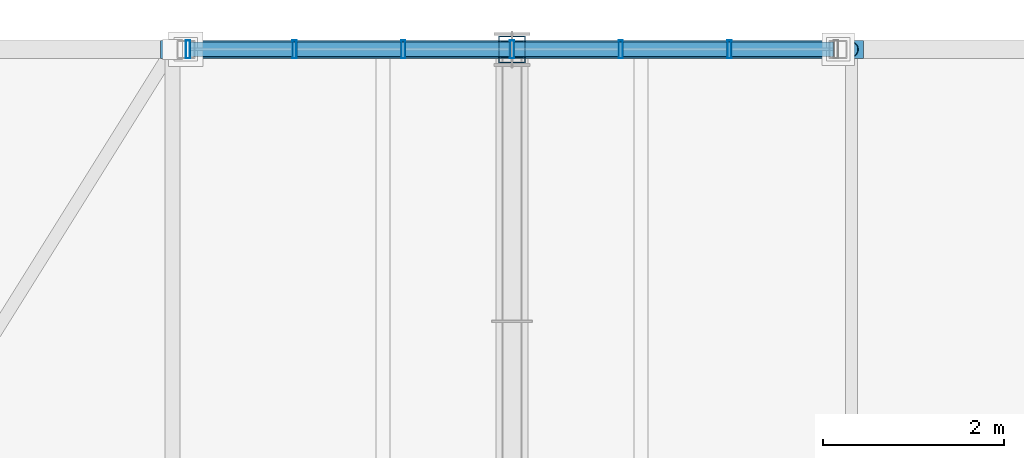
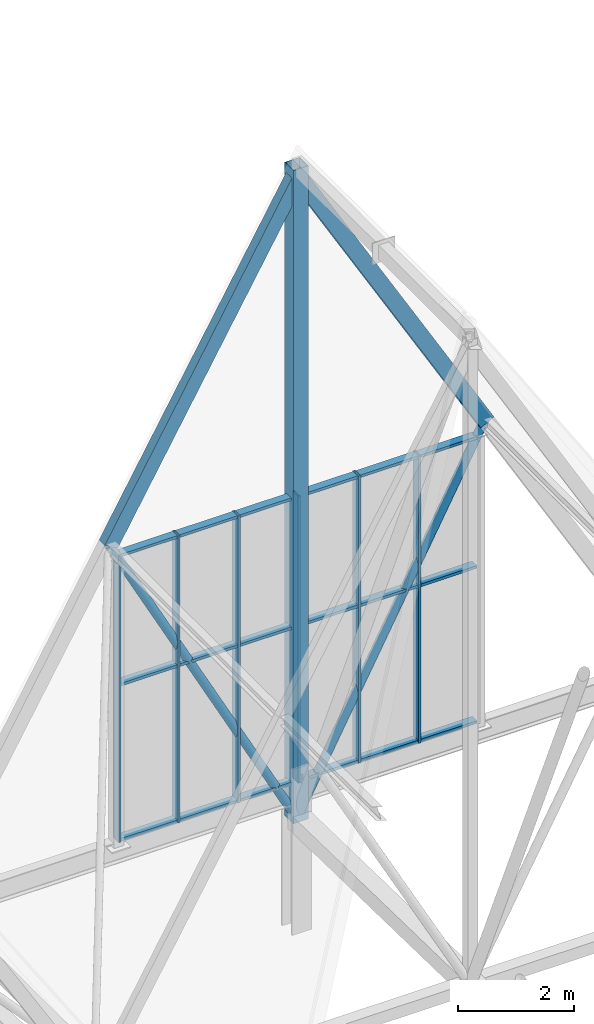
# One storey, part 118 of 324: 29 members, 1 element without a shape of its own.
"""IFC4 building model written with IfcOpenShell, lengths in metres."""

import ifcopenshell
import ifcopenshell.guid

model = None  # the IFC model being written
_history = None  # IfcOwnerHistory: only IFC2X3 demands one
_inside = {}  # id of a spatial element -> (the spatial element, [elements in it])
_under = {}  # id of a project, library or spatial element -> (it, [spatial elements below it])
_declared = {}  # id of a project -> (the project, [libraries it declares])
_typed = {}  # id of a type object -> (the type object, [elements of that type])
_made_of = {}  # id of a material, layer set ... -> (it, [elements and type objects made of it])


def new_model(schema):
    """Start an empty IFC model of exactly this schema.

    Asked for "IFC4X3", IfcOpenShell would pick the latest addendum, in which some entities
    have other attributes; the version numbers below select the first issue.
    IFC2X3 requires an IfcOwnerHistory on every rooted entity: one is made here for all.
    """
    global model, _history
    if schema == "IFC4X3":
        model = ifcopenshell.file(schema_version=(4, 3, 0, 0))
    else:
        model = ifcopenshell.file(schema=schema)
    _inside.clear()
    _under.clear()
    _declared.clear()
    _typed.clear()
    _made_of.clear()
    _history = None
    if model.schema == "IFC2X3":
        org = make("IfcOrganization", Name="unknown")
        user = make(
            "IfcPersonAndOrganization",
            ThePerson=make("IfcPerson", FamilyName="unknown"),
            TheOrganization=org,
        )
        app = make(
            "IfcApplication",
            ApplicationDeveloper=org,
            Version="unknown",
            ApplicationFullName="unknown",
            ApplicationIdentifier="unknown",
        )
        _history = make(
            "IfcOwnerHistory",
            OwningUser=user,
            OwningApplication=app,
            ChangeAction="ADDED",
            CreationDate=0,
        )
    return model


def make(cls, **values):
    """One entity of the class cls with the attributes given. An attribute that is None is left unset."""
    return model.create_entity(
        cls, **{name: value for name, value in values.items() if value is not None}
    )


def rooted(cls, **values):
    """An entity with a GlobalId (a new one), such as an element, a storey or a relation."""
    return make(cls, GlobalId=ifcopenshell.guid.new(), OwnerHistory=_history, **values)


def si_unit(unit_type, name, prefix=None):
    """IfcSIUnit, for example si_unit("LENGTHUNIT", "METRE", prefix="MILLI")."""
    return make("IfcSIUnit", UnitType=unit_type, Prefix=prefix, Name=name)


def assignment(units):
    """IfcUnitAssignment: the units of a project."""
    return None if units is None else make("IfcUnitAssignment", Units=units)


def point(xyz):
    """IfcCartesianPoint."""
    return None if xyz is None else make("IfcCartesianPoint", Coordinates=xyz)


def direction(xyz):
    """IfcDirection."""
    return None if xyz is None else make("IfcDirection", DirectionRatios=xyz)


def frame(location, z_axis=None, x_axis=None):
    """IfcAxis2Placement3D, a coordinate frame: its origin and axes. An axis left out is left unset."""
    return make(
        "IfcAxis2Placement3D",
        Location=point(location),
        Axis=direction(z_axis),
        RefDirection=direction(x_axis),
    )


def frame_2d(location, x_axis=None):
    """IfcAxis2Placement2D, a coordinate frame in the plane: its origin and x axis."""
    return make(
        "IfcAxis2Placement2D", Location=point(location), RefDirection=direction(x_axis)
    )


def origin():
    """The frame at (0, 0, 0) with its axes left unset."""
    return frame((0.0, 0.0, 0.0))


def origin_2d():
    """The frame at (0, 0) in the plane with its x axis left unset."""
    return frame_2d((0.0, 0.0))


def place(relative_to, where):
    """IfcLocalPlacement: puts the frame where relative to a parent placement (None: the world)."""
    return make(
        "IfcLocalPlacement", PlacementRelTo=relative_to, RelativePlacement=where
    )


def context(
    kind, dimensions, precision=None, world=None, true_north=None, identifier=None
):
    """IfcGeometricRepresentationContext, for example the 3D "Model" context."""
    return make(
        "IfcGeometricRepresentationContext",
        ContextIdentifier=identifier,
        ContextType=kind,
        CoordinateSpaceDimension=dimensions,
        Precision=precision,
        WorldCoordinateSystem=world,
        TrueNorth=true_north,
    )


def subcontext(parent, identifier, kind, view, scale=None):
    """IfcGeometricRepresentationSubContext, for example "Body" below "Model"."""
    return make(
        "IfcGeometricRepresentationSubContext",
        ContextIdentifier=identifier,
        ContextType=kind,
        ParentContext=parent,
        TargetScale=scale,
        TargetView=view,
    )


def project(units=None, contexts=None):
    """IfcProject with its units and contexts."""
    return rooted(
        "IfcProject",
        Name="project",
        RepresentationContexts=contexts,
        UnitsInContext=assignment(units),
    )


def spatial(cls, under=None, at=None, **own):
    """A site, building, storey or space (cls), placed at a placement, below another one or the project."""
    s = rooted(cls, ObjectPlacement=at, **own)
    if under is not None:
        _under.setdefault(under.id(), (under, []))[1].append(s)
    return s


def profile(cls, at=None, kind="AREA", **sizes):
    """A parametric profile (cls). Its sizes go by their IFC names, for example OverallWidth=200.0."""
    return make(cls, ProfileType=kind, Position=at, **sizes)


def hollow_rectangle(**sizes):
    """IfcRectangleHollowProfileDef."""
    return profile("IfcRectangleHollowProfileDef", **sizes)


def hollow_circle(**sizes):
    """IfcCircleHollowProfileDef."""
    return profile("IfcCircleHollowProfileDef", **sizes)


def extrude(swept, where, along, depth):
    """IfcExtrudedAreaSolid: the profile swept, set in the frame where, extruded along a direction by depth."""
    return make(
        "IfcExtrudedAreaSolid",
        SweptArea=swept,
        Position=where,
        ExtrudedDirection=direction(along),
        Depth=depth,
    )


def shape(context_of_items, identifier, shape_type, items):
    """IfcShapeRepresentation: the items that make up one representation, for example the "Body"."""
    return make(
        "IfcShapeRepresentation",
        ContextOfItems=context_of_items,
        RepresentationIdentifier=identifier,
        RepresentationType=shape_type,
        Items=items,
    )


def material(Name=None, Category=None):
    """IfcMaterial."""
    return make("IfcMaterial", Name=Name, Category=Category)


def layer(
    of_material, thickness, ventilated=None, Name=None, Category=None, Priority=None
):
    """IfcMaterialLayer: one layer of a wall or slab, of a material (None: an air gap)."""
    return make(
        "IfcMaterialLayer",
        Material=of_material,
        LayerThickness=thickness,
        IsVentilated=ventilated,
        Name=Name,
        Category=Category,
        Priority=Priority,
    )


def layer_set(layers, Name=None):
    """IfcMaterialLayerSet."""
    return make("IfcMaterialLayerSet", MaterialLayers=layers, LayerSetName=Name)


def material_profile(
    of_material, cross_section, Name=None, Category=None, Priority=None
):
    """IfcMaterialProfile: a cross section and its material."""
    return make(
        "IfcMaterialProfile",
        Name=Name,
        Material=of_material,
        Profile=cross_section,
        Priority=Priority,
        Category=Category,
    )


def profile_set(profiles, Name=None, composite=None):
    """IfcMaterialProfileSet."""
    return make(
        "IfcMaterialProfileSet",
        Name=Name,
        MaterialProfiles=profiles,
        CompositeProfile=composite,
    )


def made_of(thing, what):
    """Note that an element or type object is made of a material, layer set ...; save() writes the relation."""
    if what is not None:
        _made_of.setdefault(what.id(), (what, []))[1].append(thing)
    return thing


def type_object(cls, material=None, **own):
    """A type object (cls), such as IfcWallType, which elements share."""
    return made_of(rooted(cls, **own), material)


def element(
    cls,
    number,
    at=None,
    inside=None,
    cuts=None,
    type_object=None,
    material=None,
    context=None,
    identifier="Body",
    shape_type=None,
    held_by="IfcProductDefinitionShape",
    body=None,
    shapes=None,
    **own,
):
    """One element of the class cls, such as IfcWall. Its Tag is "e" and its number.

    at: its placement. inside: the storey or other place that contains it. cuts: it is an
    opening in that element (IfcRelVoidsElement). A single representation is given by context,
    identifier, shape_type and body (its items); several are given by shapes. held_by: the class
    of the entity that holds the representations. save() writes the other relations.
    """
    e = rooted(cls, Tag="e%d" % number, ObjectPlacement=at, **own)
    if body is not None:
        shapes = [shape(context, identifier, shape_type, body)]
    if shapes is not None:
        e.Representation = make(held_by, Representations=shapes)
    if inside is not None:
        _inside.setdefault(inside.id(), (inside, []))[1].append(e)
    if cuts is not None:
        rooted(
            "IfcRelVoidsElement", RelatingBuildingElement=cuts, RelatedOpeningElement=e
        )
    if type_object is not None:
        _typed.setdefault(type_object.id(), (type_object, []))[1].append(e)
    return made_of(e, material)


def aggregate(whole, parts):
    """IfcRelAggregates: a whole, such as a stair, and the parts it consists of."""
    return rooted("IfcRelAggregates", RelatingObject=whole, RelatedObjects=parts)


def save(model, path):
    """Write the relations noted so far, then the file.

    IfcRelAggregates (storeys below a building ...), IfcRelContainedInSpatialStructure (elements
    in a storey), IfcRelDefinesByType, IfcRelAssociatesMaterial and IfcRelDeclares: one each for
    every whole, place, type object, material and project.
    """
    for whole, parts in _under.values():
        aggregate(whole, parts)
    for where, things in _inside.values():
        rooted(
            "IfcRelContainedInSpatialStructure",
            RelatedElements=things,
            RelatingStructure=where,
        )
    for kind, things in _typed.values():
        rooted("IfcRelDefinesByType", RelatedObjects=things, RelatingType=kind)
    for what, things in _made_of.values():
        rooted("IfcRelAssociatesMaterial", RelatedObjects=things, RelatingMaterial=what)
    for by, libraries in _declared.values():
        rooted("IfcRelDeclares", RelatingContext=by, RelatedDefinitions=libraries)
    model.write(path)


model = new_model("IFC4")

# Units and contexts
model_context = context("Model", 3, precision=1e-05, world=origin(), true_north=direction((0.0, 1.0)))
body_context = subcontext(model_context, "Body", "Model", "MODEL_VIEW")
ifc_project = project(units=[si_unit("LENGTHUNIT", "METRE"), si_unit("AREAUNIT", "SQUARE_METRE"), si_unit("VOLUMEUNIT", "CUBIC_METRE"), si_unit("PLANEANGLEUNIT", "RADIAN"), si_unit("MASSUNIT", "GRAM", prefix="KILO")], contexts=[model_context])

# Site, building, storey
site_placement = place(None, origin())
site = spatial("IfcSite", under=ifc_project, at=site_placement, CompositionType="ELEMENT")
building_placement = place(site_placement, origin())
building = spatial("IfcBuilding", under=site, at=building_placement, Name="Solvenia Promenade Tram Depot", CompositionType="ELEMENT")
storey_placement = place(building_placement, frame((0.0, 0.0, 4.5)))
storey = spatial("IfcBuildingStorey", under=building, at=storey_placement, Name="L01", CompositionType="ELEMENT", Elevation=4.5)

# Curtain wall, members
ifc_material_1 = material(Name="Anodized aluminium AW-6063 T6", Category="aluminium")
ifc_layer = layer(ifc_material_1, 0.14990234375, Name="Anodized aluminium AW-6063 T6", Category="aluminium")
ifc_layer_set = layer_set([ifc_layer], Name="Anodized aluminium AW-6063 T6")
curtain_wall_type = type_object("IfcCurtainWallType", Name="CW-Gable-1200", PredefinedType="NOTDEFINED", material=ifc_layer_set)
curtain_wall_placement = place(storey_placement, origin())
curtain_wall = element("IfcCurtainWall", 1, at=curtain_wall_placement, inside=storey, type_object=curtain_wall_type, Name="North Zigzag Gable 04 Peak Glazing", PredefinedType="NOTDEFINED")
ifc_material_profile_1 = material_profile(ifc_material_1, hollow_rectangle(XDim=0.199951171875, YDim=0.048095703125, WallThickness=0.00390625, at=origin_2d()), Name="ALU-M3", Category="aluminium")
ifc_profile_set_1 = profile_set([ifc_material_profile_1], Name="Anodized aluminium AW-6063 T6")
member_type_1 = type_object("IfcMemberType", Name="CWM-Mullion-3", PredefinedType="MULLION", material=ifc_profile_set_1)
member_1_placement = place(storey_placement, frame((48.924072265625, 126.0, 3.10009765625), z_axis=(0.0, 0.0, 1.0), x_axis=(0.0, 1.0, 0.0)))
member_1 = element("IfcMember", 2, at=member_1_placement, type_object=member_type_1, Name="CW-3 mullion 1", PredefinedType="MULLION", context=body_context, shape_type="SweptSolid", body=[
    extrude(hollow_rectangle(XDim=0.199951171875, YDim=0.048095703125, WallThickness=0.00390625, at=origin_2d()), origin(), (0.0, 0.0, 1.0), 6.0498046875),
])
member_2_placement = place(storey_placement, frame((50.10009765625, 126.0, 3.10009765625), z_axis=(0.0, 0.0, 1.0), x_axis=(0.0, 1.0, 0.0)))
member_2 = element("IfcMember", 3, at=member_2_placement, type_object=member_type_1, Name="CW-3 mullion 2", PredefinedType="MULLION", context=body_context, shape_type="SweptSolid", body=[
    extrude(hollow_rectangle(XDim=0.199951171875, YDim=0.048095703125, WallThickness=0.00390625, at=origin_2d()), origin(), (0.0, 0.0, 1.0), 6.0498046875),
])
member_3_placement = place(storey_placement, frame((51.300048828125, 126.0, 3.10009765625), z_axis=(0.0, 0.0, 1.0), x_axis=(0.0, 1.0, 0.0)))
member_3 = element("IfcMember", 4, at=member_3_placement, type_object=member_type_1, Name="CW-3 mullion 3", PredefinedType="MULLION", context=body_context, shape_type="SweptSolid", body=[
    extrude(hollow_rectangle(XDim=0.199951171875, YDim=0.048095703125, WallThickness=0.00390625, at=origin_2d()), origin(), (0.0, 0.0, 1.0), 6.0498046875),
])
member_4_placement = place(storey_placement, frame((52.5, 126.0, 3.10009765625), z_axis=(0.0, 0.0, 1.0), x_axis=(0.0, 1.0, 0.0)))
member_4 = element("IfcMember", 5, at=member_4_placement, type_object=member_type_1, Name="CW-3 mullion 4", PredefinedType="MULLION", context=body_context, shape_type="SweptSolid", body=[
    extrude(hollow_rectangle(XDim=0.199951171875, YDim=0.048095703125, WallThickness=0.00390625, at=origin_2d()), origin(), (0.0, 0.0, 1.0), 6.0498046875),
])
member_5_placement = place(storey_placement, frame((53.699951171875, 126.0, 3.10009765625), z_axis=(0.0, 0.0, 1.0), x_axis=(0.0, 1.0, 0.0)))
member_5 = element("IfcMember", 6, at=member_5_placement, type_object=member_type_1, Name="CW-3 mullion 5", PredefinedType="MULLION", context=body_context, shape_type="SweptSolid", body=[
    extrude(hollow_rectangle(XDim=0.199951171875, YDim=0.048095703125, WallThickness=0.00390625, at=origin_2d()), origin(), (0.0, 0.0, 1.0), 6.0498046875),
])
member_6_placement = place(storey_placement, frame((54.89990234375, 126.0, 3.10009765625), z_axis=(0.0, 0.0, 1.0), x_axis=(0.0, 1.0, 0.0)))
member_6 = element("IfcMember", 7, at=member_6_placement, type_object=member_type_1, Name="CW-3 mullion 6", PredefinedType="MULLION", context=body_context, shape_type="SweptSolid", body=[
    extrude(hollow_rectangle(XDim=0.199951171875, YDim=0.048095703125, WallThickness=0.00390625, at=origin_2d()), origin(), (0.0, 0.0, 1.0), 6.0498046875),
])
ifc_material_profile_2 = material_profile(ifc_material_1, hollow_rectangle(XDim=0.159912109375, YDim=0.05810546875, WallThickness=0.00390625, at=origin_2d()), Name="ALU-T3", Category="aluminium")
ifc_profile_set_2 = profile_set([ifc_material_profile_2], Name="Anodized aluminium AW-6063 T6")
member_type_2 = type_object("IfcMemberType", Name="CWT-Transom-3", PredefinedType="USERDEFINED", material=ifc_profile_set_2)
member_7_placement = place(storey_placement, frame((48.947998046875, 126.0, 3.12890625), z_axis=(1.0, 0.0, 0.0), x_axis=(0.0, 1.0, 0.0)))
member_7 = element("IfcMember", 8, at=member_7_placement, type_object=member_type_2, Name="CW-3 transom 1.1", ObjectType="TRANSOM", PredefinedType="USERDEFINED", context=body_context, shape_type="SweptSolid", body=[
    extrude(hollow_rectangle(XDim=0.159912109375, YDim=0.05810546875, WallThickness=0.00390625, at=origin_2d()), origin(), (0.0, 0.0, 1.0), 1.1279296875),
])
member_8_placement = place(storey_placement, frame((48.947998046875, 126.0, 6.39990234375), z_axis=(1.0, 0.0, 0.0), x_axis=(0.0, 1.0, 0.0)))
member_8 = element("IfcMember", 9, at=member_8_placement, type_object=member_type_2, Name="CW-3 transom 1.2", ObjectType="TRANSOM", PredefinedType="USERDEFINED", context=body_context, shape_type="SweptSolid", body=[
    extrude(hollow_rectangle(XDim=0.159912109375, YDim=0.05810546875, WallThickness=0.00390625, at=origin_2d()), origin(), (0.0, 0.0, 1.0), 1.1279296875),
])
member_9_placement = place(storey_placement, frame((48.947998046875, 126.0, 9.12109375), z_axis=(1.0, 0.0, 0.0), x_axis=(0.0, 1.0, 0.0)))
member_9 = element("IfcMember", 10, at=member_9_placement, type_object=member_type_2, Name="CW-3 transom 1.3", ObjectType="TRANSOM", PredefinedType="USERDEFINED", context=body_context, shape_type="SweptSolid", body=[
    extrude(hollow_rectangle(XDim=0.159912109375, YDim=0.05810546875, WallThickness=0.00390625, at=origin_2d()), origin(), (0.0, 0.0, 1.0), 1.1279296875),
])
member_10_placement = place(storey_placement, frame((50.1240234375, 126.0, 3.12890625), z_axis=(1.0, 0.0, 0.0), x_axis=(0.0, 1.0, 0.0)))
member_10 = element("IfcMember", 11, at=member_10_placement, type_object=member_type_2, Name="CW-3 transom 2.1", ObjectType="TRANSOM", PredefinedType="USERDEFINED", context=body_context, shape_type="SweptSolid", body=[
    extrude(hollow_rectangle(XDim=0.159912109375, YDim=0.05810546875, WallThickness=0.00390625, at=origin_2d()), origin(), (0.0, 0.0, 1.0), 1.15185546875),
])
member_11_placement = place(storey_placement, frame((50.1240234375, 126.0, 6.39990234375), z_axis=(1.0, 0.0, 0.0), x_axis=(0.0, 1.0, 0.0)))
member_11 = element("IfcMember", 12, at=member_11_placement, type_object=member_type_2, Name="CW-3 transom 2.2", ObjectType="TRANSOM", PredefinedType="USERDEFINED", context=body_context, shape_type="SweptSolid", body=[
    extrude(hollow_rectangle(XDim=0.159912109375, YDim=0.05810546875, WallThickness=0.00390625, at=origin_2d()), origin(), (0.0, 0.0, 1.0), 1.15185546875),
])
member_12_placement = place(storey_placement, frame((50.1240234375, 126.0, 9.12109375), z_axis=(1.0, 0.0, 0.0), x_axis=(0.0, 1.0, 0.0)))
member_12 = element("IfcMember", 13, at=member_12_placement, type_object=member_type_2, Name="CW-3 transom 2.3", ObjectType="TRANSOM", PredefinedType="USERDEFINED", context=body_context, shape_type="SweptSolid", body=[
    extrude(hollow_rectangle(XDim=0.159912109375, YDim=0.05810546875, WallThickness=0.00390625, at=origin_2d()), origin(), (0.0, 0.0, 1.0), 1.15185546875),
])
member_13_placement = place(storey_placement, frame((51.323974609375, 126.0, 3.12890625), z_axis=(1.0, 0.0, 0.0), x_axis=(0.0, 1.0, 0.0)))
member_13 = element("IfcMember", 14, at=member_13_placement, type_object=member_type_2, Name="CW-3 transom 3.1", ObjectType="TRANSOM", PredefinedType="USERDEFINED", context=body_context, shape_type="SweptSolid", body=[
    extrude(hollow_rectangle(XDim=0.159912109375, YDim=0.05810546875, WallThickness=0.00390625, at=origin_2d()), origin(), (0.0, 0.0, 1.0), 1.152099609375),
])
member_14_placement = place(storey_placement, frame((51.323974609375, 126.0, 6.39990234375), z_axis=(1.0, 0.0, 0.0), x_axis=(0.0, 1.0, 0.0)))
member_14 = element("IfcMember", 15, at=member_14_placement, type_object=member_type_2, Name="CW-3 transom 3.2", ObjectType="TRANSOM", PredefinedType="USERDEFINED", context=body_context, shape_type="SweptSolid", body=[
    extrude(hollow_rectangle(XDim=0.159912109375, YDim=0.05810546875, WallThickness=0.00390625, at=origin_2d()), origin(), (0.0, 0.0, 1.0), 1.152099609375),
])
member_15_placement = place(storey_placement, frame((51.323974609375, 126.0, 9.12109375), z_axis=(1.0, 0.0, 0.0), x_axis=(0.0, 1.0, 0.0)))
member_15 = element("IfcMember", 16, at=member_15_placement, type_object=member_type_2, Name="CW-3 transom 3.3", ObjectType="TRANSOM", PredefinedType="USERDEFINED", context=body_context, shape_type="SweptSolid", body=[
    extrude(hollow_rectangle(XDim=0.159912109375, YDim=0.05810546875, WallThickness=0.00390625, at=origin_2d()), origin(), (0.0, 0.0, 1.0), 1.152099609375),
])
member_16_placement = place(storey_placement, frame((52.52392578125, 126.0, 3.12890625), z_axis=(1.0, 0.0, 0.0), x_axis=(0.0, 1.0, 0.0)))
member_16 = element("IfcMember", 17, at=member_16_placement, type_object=member_type_2, Name="CW-3 transom 4.1", ObjectType="TRANSOM", PredefinedType="USERDEFINED", context=body_context, shape_type="SweptSolid", body=[
    extrude(hollow_rectangle(XDim=0.159912109375, YDim=0.05810546875, WallThickness=0.00390625, at=origin_2d()), origin(), (0.0, 0.0, 1.0), 1.152099609375),
])
member_17_placement = place(storey_placement, frame((52.52392578125, 126.0, 6.39990234375), z_axis=(1.0, 0.0, 0.0), x_axis=(0.0, 1.0, 0.0)))
member_17 = element("IfcMember", 18, at=member_17_placement, type_object=member_type_2, Name="CW-3 transom 4.2", ObjectType="TRANSOM", PredefinedType="USERDEFINED", context=body_context, shape_type="SweptSolid", body=[
    extrude(hollow_rectangle(XDim=0.159912109375, YDim=0.05810546875, WallThickness=0.00390625, at=origin_2d()), origin(), (0.0, 0.0, 1.0), 1.152099609375),
])
member_18_placement = place(storey_placement, frame((52.52392578125, 126.0, 9.12109375), z_axis=(1.0, 0.0, 0.0), x_axis=(0.0, 1.0, 0.0)))
member_18 = element("IfcMember", 19, at=member_18_placement, type_object=member_type_2, Name="CW-3 transom 4.3", ObjectType="TRANSOM", PredefinedType="USERDEFINED", context=body_context, shape_type="SweptSolid", body=[
    extrude(hollow_rectangle(XDim=0.159912109375, YDim=0.05810546875, WallThickness=0.00390625, at=origin_2d()), origin(), (0.0, 0.0, 1.0), 1.152099609375),
])
member_19_placement = place(storey_placement, frame((53.72412109375, 126.0, 3.12890625), z_axis=(1.0, 0.0, 0.0), x_axis=(0.0, 1.0, 0.0)))
member_19 = element("IfcMember", 20, at=member_19_placement, type_object=member_type_2, Name="CW-3 transom 5.1", ObjectType="TRANSOM", PredefinedType="USERDEFINED", context=body_context, shape_type="SweptSolid", body=[
    extrude(hollow_rectangle(XDim=0.159912109375, YDim=0.05810546875, WallThickness=0.00390625, at=origin_2d()), origin(), (0.0, 0.0, 1.0), 1.15185546875),
])
member_20_placement = place(storey_placement, frame((53.72412109375, 126.0, 6.39990234375), z_axis=(1.0, 0.0, 0.0), x_axis=(0.0, 1.0, 0.0)))
member_20 = element("IfcMember", 21, at=member_20_placement, type_object=member_type_2, Name="CW-3 transom 5.2", ObjectType="TRANSOM", PredefinedType="USERDEFINED", context=body_context, shape_type="SweptSolid", body=[
    extrude(hollow_rectangle(XDim=0.159912109375, YDim=0.05810546875, WallThickness=0.00390625, at=origin_2d()), origin(), (0.0, 0.0, 1.0), 1.15185546875),
])
member_21_placement = place(storey_placement, frame((53.72412109375, 126.0, 9.12109375), z_axis=(1.0, 0.0, 0.0), x_axis=(0.0, 1.0, 0.0)))
member_21 = element("IfcMember", 22, at=member_21_placement, type_object=member_type_2, Name="CW-3 transom 5.3", ObjectType="TRANSOM", PredefinedType="USERDEFINED", context=body_context, shape_type="SweptSolid", body=[
    extrude(hollow_rectangle(XDim=0.159912109375, YDim=0.05810546875, WallThickness=0.00390625, at=origin_2d()), origin(), (0.0, 0.0, 1.0), 1.15185546875),
])
member_22_placement = place(storey_placement, frame((54.924072265625, 126.0, 3.12890625), z_axis=(1.0, 0.0, 0.0), x_axis=(0.0, 1.0, 0.0)))
member_22 = element("IfcMember", 23, at=member_22_placement, type_object=member_type_2, Name="CW-3 transom 6.1", ObjectType="TRANSOM", PredefinedType="USERDEFINED", context=body_context, shape_type="SweptSolid", body=[
    extrude(hollow_rectangle(XDim=0.159912109375, YDim=0.05810546875, WallThickness=0.00390625, at=origin_2d()), origin(), (0.0, 0.0, 1.0), 1.1279296875),
])
member_23_placement = place(storey_placement, frame((54.924072265625, 126.0, 6.39990234375), z_axis=(1.0, 0.0, 0.0), x_axis=(0.0, 1.0, 0.0)))
member_23 = element("IfcMember", 24, at=member_23_placement, type_object=member_type_2, Name="CW-3 transom 6.2", ObjectType="TRANSOM", PredefinedType="USERDEFINED", context=body_context, shape_type="SweptSolid", body=[
    extrude(hollow_rectangle(XDim=0.159912109375, YDim=0.05810546875, WallThickness=0.00390625, at=origin_2d()), origin(), (0.0, 0.0, 1.0), 1.1279296875),
])
member_24_placement = place(storey_placement, frame((54.924072265625, 126.0, 9.12109375), z_axis=(1.0, 0.0, 0.0), x_axis=(0.0, 1.0, 0.0)))
member_24 = element("IfcMember", 25, at=member_24_placement, type_object=member_type_2, Name="CW-3 transom 6.3", ObjectType="TRANSOM", PredefinedType="USERDEFINED", context=body_context, shape_type="SweptSolid", body=[
    extrude(hollow_rectangle(XDim=0.159912109375, YDim=0.05810546875, WallThickness=0.00390625, at=origin_2d()), origin(), (0.0, 0.0, 1.0), 1.1279296875),
])
aggregate(curtain_wall, [member_1, member_2, member_3, member_4, member_5, member_6, member_7, member_8, member_9, member_10, member_11, member_12, member_13, member_14, member_15, member_16, member_17, member_18, member_19, member_20, member_21, member_22, member_23, member_24])

# Members
ifc_material_2 = material(Name="Structural steel ASTM A500 Gr. C", Category="steel")
ifc_material_profile_3 = material_profile(ifc_material_2, hollow_rectangle(XDim=0.199951171875, YDim=0.300048828125, WallThickness=0.012451171875, at=origin_2d()), Name="HSS300x200x12.5", Category="steel")
ifc_profile_set_3 = profile_set([ifc_material_profile_3], Name="Structural steel ASTM A500 Gr. C")
member_type_3 = type_object("IfcMemberType", Name="Chord-HSS300x200x12", PredefinedType="CHORD", material=ifc_profile_set_3)
for number, where, z_axis, x_axis, name in (
    (26, (48.75, 126.0, 9.39013671875), (0.501516268578, 0.0, 0.865148214095), (0.0, 1.0, 0.0), "Zigzag Gable 04 West Upper Rafter"),
    (27, (52.5, 126.0, 15.859130859375), (0.501516268578, 0.0, -0.865148214095), (0.0, 1.0, 0.0), "Zigzag Gable 04 East Upper Rafter"),
):
    element("IfcMember", number, at=place(storey_placement, frame(where, z_axis=z_axis, x_axis=x_axis)), inside=storey, type_object=member_type_3, Name=name, PredefinedType="CHORD", context=body_context, shape_type="SweptSolid", body=[
        extrude(hollow_rectangle(XDim=0.199951171875, YDim=0.300048828125, WallThickness=0.012451171875, at=origin_2d()), origin(), (0.0, 0.0, 1.0), 7.477294921875),
    ])
ifc_material_profile_4 = material_profile(ifc_material_2, hollow_rectangle(XDim=0.300048828125, YDim=0.300048828125, WallThickness=0.012451171875, at=origin_2d()), Name="HSS300x300x12.5", Category="steel")
ifc_profile_set_4 = profile_set([ifc_material_profile_4], Name="Structural steel ASTM A500 Gr. C")
member_type_4 = type_object("IfcMemberType", Name="Chord-HSS300x300x12", PredefinedType="CHORD", material=ifc_profile_set_4)
member_25_placement = place(storey_placement, frame((52.5, 126.0, 2.320068359375), z_axis=(0.0, 0.0, 1.0), x_axis=(1.0, 0.0, 0.0)))
element("IfcMember", 28, at=member_25_placement, inside=storey, type_object=member_type_4, Name="Arched Truss T08 N End Post", PredefinedType="CHORD", context=body_context, shape_type="SweptSolid", body=[
    extrude(hollow_rectangle(XDim=0.300048828125, YDim=0.300048828125, WallThickness=0.012451171875, at=origin_2d()), origin(), (0.0, 0.0, 1.0), 13.767822265625),
])
ifc_material_profile_5 = material_profile(ifc_material_2, hollow_circle(Radius=0.084228515625, WallThickness=0.008056640625, at=origin_2d()), Name="CHS168.3x8", Category="steel")
ifc_profile_set_5 = profile_set([ifc_material_profile_5], Name="Structural steel ASTM A500 Gr. C")
member_type_5 = type_object("IfcMemberType", Name="WebDiag-CHS168x8", PredefinedType="BRACE", material=ifc_profile_set_5)
for number, where, z_axis, x_axis, name in (
    (29, (52.5, 126.0, 2.320068359375), (-0.468572976528, 0.0, 0.883424793442), (0.0, -1.0, 0.0), "Zigzag Gable 04 West Knee Strut"),
    (30, (52.5, 126.0, 2.320068359375), (0.468572976528, 0.0, 0.883424793442), (0.0, 1.0, 0.0), "Zigzag Gable 04 East Knee Strut"),
):
    element("IfcMember", number, at=place(storey_placement, frame(where, z_axis=z_axis, x_axis=x_axis)), inside=storey, type_object=member_type_5, Name=name, PredefinedType="BRACE", context=body_context, shape_type="SweptSolid", body=[
        extrude(hollow_circle(Radius=0.084228515625, WallThickness=0.008056640625, at=origin_2d()), origin(), (0.0, 0.0, 1.0), 8.0029296875),
    ])

save(model, "model.ifc")
